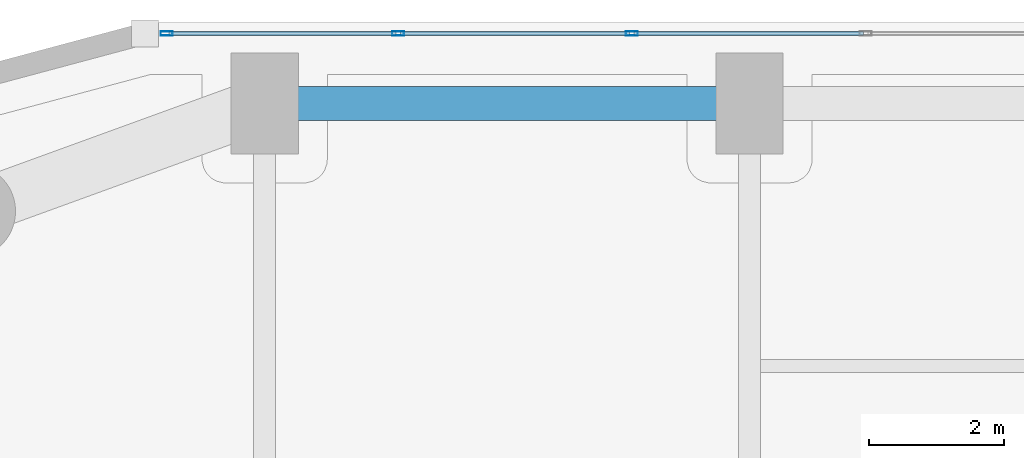
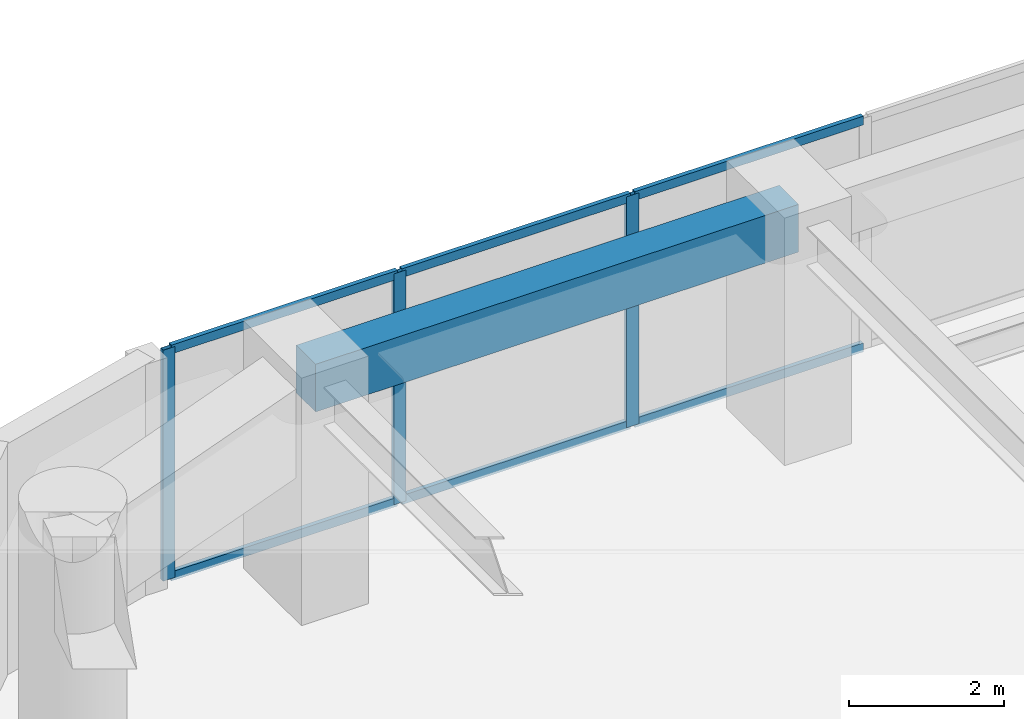
# One storey, part 13 of 24: 9 members, 1 beam, 1 element without a shape of its own.
"""IFC4 building model written with IfcOpenShell, lengths in metres."""

from ifc_helpers import new_model, si_unit, direction, frame, origin, origin_2d, place, context, subcontext, project, spatial, rectangle, hollow_rectangle, extrude, material, layer, layer_set, material_profile, profile_set, type_object, element, aggregate, save


model = new_model("IFC4")

# Units and contexts
model_context = context("Model", 3, precision=1e-05, world=origin(), true_north=direction((0.0, 1.0)))
body_context = subcontext(model_context, "Body", "Model", "MODEL_VIEW")
ifc_project = project(units=[si_unit("LENGTHUNIT", "METRE"), si_unit("AREAUNIT", "SQUARE_METRE"), si_unit("VOLUMEUNIT", "CUBIC_METRE"), si_unit("PLANEANGLEUNIT", "RADIAN"), si_unit("MASSUNIT", "GRAM", prefix="KILO")], contexts=[model_context])

# Site, building, storey
site_placement = place(None, origin())
site = spatial("IfcSite", under=ifc_project, at=site_placement, CompositionType="ELEMENT")
building_placement = place(site_placement, origin())
building = spatial("IfcBuilding", under=site, at=building_placement, Name="Kiyonajd Concourse Tower", CompositionType="ELEMENT")
storey_placement = place(building_placement, frame((0.0, 0.0, 89.699951171875)))
storey = spatial("IfcBuildingStorey", under=building, at=storey_placement, Name="L23", CompositionType="ELEMENT", Elevation=89.699951171875)

# Beam
ifc_material_1 = material(Name="Precast concrete C50/60", Category="concrete")
ifc_material_profile_1 = material_profile(ifc_material_1, rectangle(XDim=0.5, YDim=0.75, at=origin_2d()), Name="RCBM-500x750")
ifc_profile_set_1 = profile_set([ifc_material_profile_1], Name="Precast concrete C50/60")
beam_type = type_object("IfcBeamType", Name="BM-SPAN-RC", PredefinedType="SPANDREL", material=ifc_profile_set_1)
beam_placement = place(storey_placement, frame((32.39990234375, 61.199951171875, 3.26513671875), z_axis=(-1.0, 0.0, 0.0), x_axis=(0.0, -1.0, 0.0)))
element("IfcBeam", 1, at=beam_placement, inside=storey, type_object=beam_type, Name="L23 Perimeter Bundled Tube Spandrel", PredefinedType="SPANDREL", context=body_context, shape_type="SweptSolid", body=[
    extrude(rectangle(XDim=0.5, YDim=0.75, at=origin_2d()), origin(), (0.0, 0.0, 1.0), 7.199951171875),
])

# Curtain wall, members
ifc_material_2 = material(Name="Thermally Broken Anodised Aluminium", Category="aluminium")
ifc_layer = layer(ifc_material_2, 0.179931640625)
ifc_layer_set = layer_set([ifc_layer], Name="Thermally Broken Anodised Aluminium")
curtain_wall_type = type_object("IfcCurtainWallType", Name="CW-SYS-03", PredefinedType="NOTDEFINED", material=ifc_layer_set)
curtain_wall_placement = place(storey_placement, origin())
curtain_wall = element("IfcCurtainWall", 2, at=curtain_wall_placement, inside=storey, type_object=curtain_wall_type, Name="L23 Unitised Curtain Wall CW3", PredefinedType="NOTDEFINED")
ifc_material_profile_2 = material_profile(ifc_material_2, hollow_rectangle(XDim=0.06494140625, YDim=0.179931640625, WallThickness=0.00390625, at=origin_2d()), Name="MULL-65x180")
ifc_profile_set_2 = profile_set([ifc_material_profile_2], Name="Thermally Broken Anodised Aluminium")
member_type_1 = type_object("IfcMemberType", Name="MB-CW-MULL1", PredefinedType="MULLION", material=ifc_profile_set_2)
member_1_placement = place(storey_placement, frame((23.74365234375, 62.239990234375, 0.0), z_axis=(0.0, 0.0, 1.0), x_axis=(0.0, 1.0, 0.0)))
member_1 = element("IfcMember", 3, at=member_1_placement, type_object=member_type_1, Name="CW3 mullion 1", PredefinedType="MULLION", context=body_context, shape_type="SweptSolid", body=[
    extrude(hollow_rectangle(XDim=0.06494140625, YDim=0.179931640625, WallThickness=0.00390625, at=origin_2d()), origin(), (0.0, 0.0, 1.0), 3.64013671875),
])
member_2_placement = place(storey_placement, frame((27.181884765625, 62.239990234375, 0.0), z_axis=(0.0, 0.0, 1.0), x_axis=(0.0, 1.0, 0.0)))
member_2 = element("IfcMember", 4, at=member_2_placement, type_object=member_type_1, Name="CW3 mullion 2", PredefinedType="MULLION", context=body_context, shape_type="SweptSolid", body=[
    extrude(hollow_rectangle(XDim=0.06494140625, YDim=0.179931640625, WallThickness=0.00390625, at=origin_2d()), origin(), (0.0, 0.0, 1.0), 3.64013671875),
])
member_3_placement = place(storey_placement, frame((30.652587890625, 62.239990234375, 0.0), z_axis=(0.0, 0.0, 1.0), x_axis=(0.0, 1.0, 0.0)))
member_3 = element("IfcMember", 5, at=member_3_placement, type_object=member_type_1, Name="CW3 mullion 3", PredefinedType="MULLION", context=body_context, shape_type="SweptSolid", body=[
    extrude(hollow_rectangle(XDim=0.06494140625, YDim=0.179931640625, WallThickness=0.00390625, at=origin_2d()), origin(), (0.0, 0.0, 1.0), 3.64013671875),
])
ifc_material_profile_3 = material_profile(ifc_material_2, hollow_rectangle(XDim=0.06494140625, YDim=0.139892578125, WallThickness=0.00390625, at=origin_2d()), Name="TRAN-65x140")
ifc_profile_set_3 = profile_set([ifc_material_profile_3], Name="Thermally Broken Anodised Aluminium")
member_type_2 = type_object("IfcMemberType", Name="MB-CW-TRAN1", PredefinedType="USERDEFINED", material=ifc_profile_set_3)
member_4_placement = place(storey_placement, frame((23.776123046875, 62.239990234375, 0.032470703125), z_axis=(1.0, 0.0, 0.0), x_axis=(0.0, 1.0, 0.0)))
member_4 = element("IfcMember", 6, at=member_4_placement, type_object=member_type_2, Name="CW3 transom 1.1", ObjectType="TRANSOM", PredefinedType="USERDEFINED", context=body_context, shape_type="SweptSolid", body=[
    extrude(hollow_rectangle(XDim=0.06494140625, YDim=0.139892578125, WallThickness=0.00390625, at=origin_2d()), origin(), (0.0, 0.0, 1.0), 3.373291015625),
])
member_5_placement = place(storey_placement, frame((23.776123046875, 62.239990234375, 3.607666015625), z_axis=(1.0, 0.0, 0.0), x_axis=(0.0, 1.0, 0.0)))
member_5 = element("IfcMember", 7, at=member_5_placement, type_object=member_type_2, Name="CW3 transom 1.2", ObjectType="TRANSOM", PredefinedType="USERDEFINED", context=body_context, shape_type="SweptSolid", body=[
    extrude(hollow_rectangle(XDim=0.06494140625, YDim=0.139892578125, WallThickness=0.00390625, at=origin_2d()), origin(), (0.0, 0.0, 1.0), 3.373291015625),
])
member_6_placement = place(storey_placement, frame((27.21435546875, 62.239990234375, 0.032470703125), z_axis=(1.0, 0.0, 0.0), x_axis=(0.0, 1.0, 0.0)))
member_6 = element("IfcMember", 8, at=member_6_placement, type_object=member_type_2, Name="CW3 transom 2.1", ObjectType="TRANSOM", PredefinedType="USERDEFINED", context=body_context, shape_type="SweptSolid", body=[
    extrude(hollow_rectangle(XDim=0.06494140625, YDim=0.139892578125, WallThickness=0.00390625, at=origin_2d()), origin(), (0.0, 0.0, 1.0), 3.40576171875),
])
member_7_placement = place(storey_placement, frame((27.21435546875, 62.239990234375, 3.607666015625), z_axis=(1.0, 0.0, 0.0), x_axis=(0.0, 1.0, 0.0)))
member_7 = element("IfcMember", 9, at=member_7_placement, type_object=member_type_2, Name="CW3 transom 2.2", ObjectType="TRANSOM", PredefinedType="USERDEFINED", context=body_context, shape_type="SweptSolid", body=[
    extrude(hollow_rectangle(XDim=0.06494140625, YDim=0.139892578125, WallThickness=0.00390625, at=origin_2d()), origin(), (0.0, 0.0, 1.0), 3.40576171875),
])
member_8_placement = place(storey_placement, frame((30.68505859375, 62.239990234375, 0.032470703125), z_axis=(1.0, 0.0, 0.0), x_axis=(0.0, 1.0, 0.0)))
member_8 = element("IfcMember", 10, at=member_8_placement, type_object=member_type_2, Name="CW3 transom 3.1", ObjectType="TRANSOM", PredefinedType="USERDEFINED", context=body_context, shape_type="SweptSolid", body=[
    extrude(hollow_rectangle(XDim=0.06494140625, YDim=0.139892578125, WallThickness=0.00390625, at=origin_2d()), origin(), (0.0, 0.0, 1.0), 3.40576171875),
])
member_9_placement = place(storey_placement, frame((30.68505859375, 62.239990234375, 3.607666015625), z_axis=(1.0, 0.0, 0.0), x_axis=(0.0, 1.0, 0.0)))
member_9 = element("IfcMember", 11, at=member_9_placement, type_object=member_type_2, Name="CW3 transom 3.2", ObjectType="TRANSOM", PredefinedType="USERDEFINED", context=body_context, shape_type="SweptSolid", body=[
    extrude(hollow_rectangle(XDim=0.06494140625, YDim=0.139892578125, WallThickness=0.00390625, at=origin_2d()), origin(), (0.0, 0.0, 1.0), 3.40576171875),
])
aggregate(curtain_wall, [member_1, member_2, member_3, member_4, member_5, member_6, member_7, member_8, member_9])

save(model, "model.ifc")
